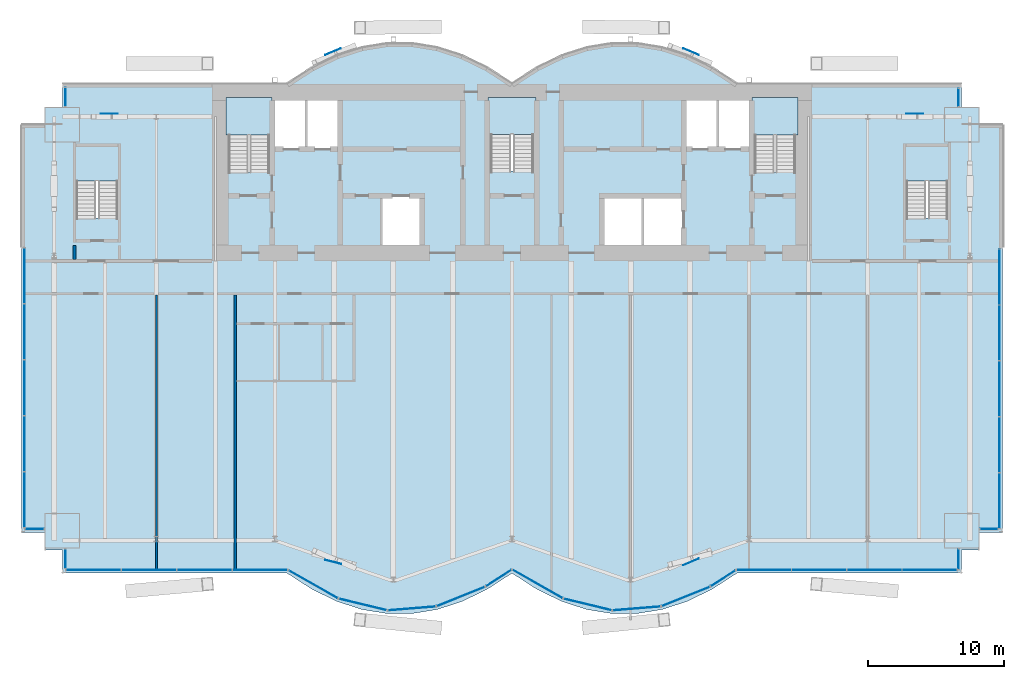
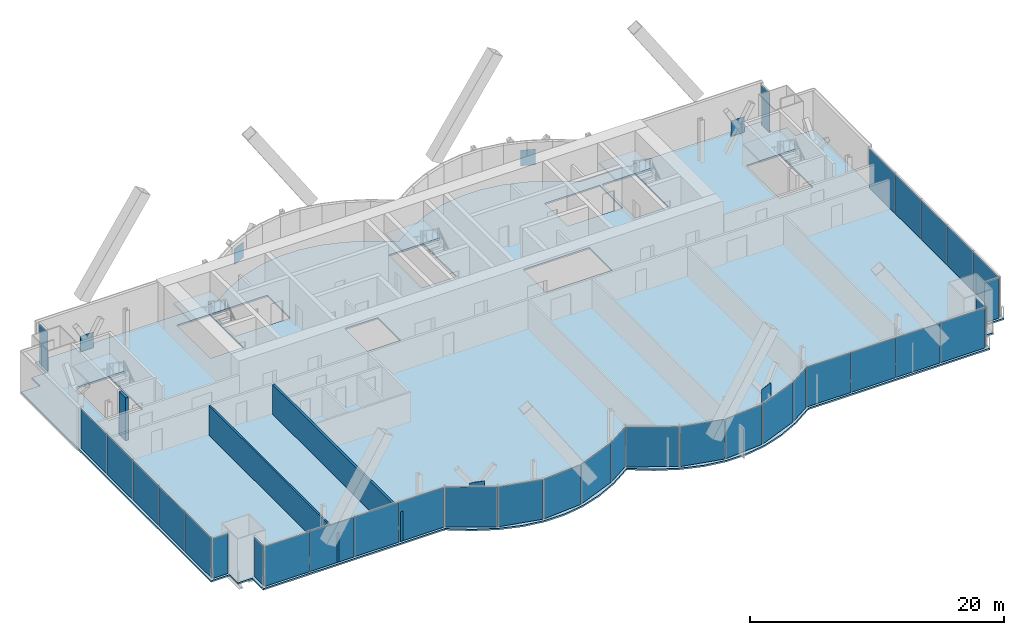
# One storey, part 15 of 22: 40 plates, 6 slabs, 3 walls, 17 elements without a shape of their own.
"""IFC4 building model written with IfcOpenShell, lengths in metres."""

from ifc_helpers import new_model, si_unit, direction, frame, frame_2d, origin, origin_2d, place, context, subcontext, project, spatial, polyline, rectangle, outline, extrude, material, layer, layer_set, type_object, element, aggregate, save


model = new_model("IFC4")

# Units and contexts
model_context = context("Model", 3, precision=1e-05, world=origin(), true_north=direction((0.0, 1.0)))
body_context = subcontext(model_context, "Body", "Model", "MODEL_VIEW")
ifc_project = project(units=[si_unit("LENGTHUNIT", "METRE"), si_unit("AREAUNIT", "SQUARE_METRE"), si_unit("VOLUMEUNIT", "CUBIC_METRE"), si_unit("PLANEANGLEUNIT", "RADIAN"), si_unit("MASSUNIT", "GRAM", prefix="KILO")], contexts=[model_context])

# Site, building, storey
site_placement = place(None, origin())
site = spatial("IfcSite", under=ifc_project, at=site_placement, CompositionType="ELEMENT")
building_placement = place(site_placement, origin())
building = spatial("IfcBuilding", under=site, at=building_placement, Name="Bicima Exchange Tower", CompositionType="ELEMENT")
storey_placement = place(building_placement, frame((0.0, 0.0, 144.5)))
storey = spatial("IfcBuildingStorey", under=building, at=storey_placement, Name="L31", CompositionType="ELEMENT", Elevation=144.5)

# Plates
ifc_material_1 = material(Name="Steel ASTM A572 Gr 50", Category="steel")
ifc_layer_1 = layer(ifc_material_1, 0.02490234375)
ifc_layer_set_1 = layer_set([ifc_layer_1], Name="Steel ASTM A572 Gr 50")
plate_type_1 = type_object("IfcPlateType", Name="Brace crossing gusset 25", PredefinedType="SHEET", material=ifc_layer_set_1)
for number, where, z_axis, x_axis, name in (
    (1, (-13.134033203125, 2.368408203125, 1.300048828125), (0.0, 0.0, 1.0), (0.920946171144, 0.389689812356, 0.0), "Brace crossing gusset plate"),
    (2, (13.134033203125, 2.368408203125, 1.300048828125), (0.0, 0.0, 1.0), (0.920946171144, -0.389689812356, 0.0), "Brace crossing gusset plate"),
    (3, (-13.104248046875, -35.082275390625, 1.300048828125), (0.0, 0.0, 1.0), (0.967901583186, -0.25132951531, 0.0), "Brace crossing gusset plate"),
    (4, (13.135009765625, -35.07177734375, 1.300048828125), (0.0, 0.0, 1.0), (0.91935521456, 0.393428506163, 0.0), "Brace crossing gusset plate"),
    (5, (-29.550048828125, -2.184326171875, 1.300048828125), (0.0, 0.0, 1.0), (1.0, 0.0, 0.0), "Brace crossing gusset plate"),
    (6, (29.550048828125, -2.184326171875, 1.300048828125), (0.0, 0.0, 1.0), (1.0, 0.0, 0.0), "Brace crossing gusset plate"),
):
    element("IfcPlate", number, at=place(storey_placement, frame(where, z_axis=z_axis, x_axis=x_axis)), inside=storey, type_object=plate_type_1, Name=name, PredefinedType="SHEET", context=body_context, shape_type="SweptSolid", body=[
        extrude(rectangle(XDim=1.21923828125, YDim=0.02490234375, at=origin_2d()), origin(), (0.0, 0.0, 1.0), 1.5),
    ])

# Slab
ifc_material_2 = material(Name="Concrete C40/50", Category="concrete")
ifc_layer_2 = layer(ifc_material_2, 0.14990234375)
ifc_layer_set_2 = layer_set([ifc_layer_2], Name="Concrete C40/50")
slab_type_1 = type_object("IfcSlabType", Name="Composite floor slab 150", PredefinedType="FLOOR", material=ifc_layer_set_2)
slab_1_placement = place(storey_placement, frame((0.0, 0.0, -0.14990234375)))
element("IfcSlab", 7, at=slab_1_placement, inside=storey, type_object=slab_type_1, Name="Floor slab", PredefinedType="FLOOR", context=body_context, shape_type="SweptSolid", body=[
    extrude(outline(polyline([(-36.0, -32.89990234375), (-36.0, -3.0), (-34.300048828125, -3.0), (-34.300048828125, -1.699951171875), (-33.0, -1.699951171875), (-33.0, 0.0), (-16.5, 0.0), (-14.666748046875, 1.185302734375), (-12.833251953125, 2.07421875), (-11.0, 2.666748046875), (-9.166748046875, 2.962890625), (-7.333251953125, 2.962890625), (-5.5, 2.666748046875), (-3.666748046875, 2.07421875), (-1.833251953125, 1.185302734375), (0.0, 0.0), (1.833251953125, 1.185302734375), (3.666748046875, 2.07421875), (5.5, 2.666748046875), (7.333251953125, 2.962890625), (9.166748046875, 2.962890625), (11.0, 2.666748046875), (12.833251953125, 2.07421875), (14.666748046875, 1.185302734375), (16.5, 0.0), (33.0, 0.0), (33.0, -1.699951171875), (34.300048828125, -1.699951171875), (34.300048828125, -3.0), (36.0, -3.0), (36.0, -32.89990234375), (34.300048828125, -32.89990234375), (34.300048828125, -34.199951171875), (33.0, -34.199951171875), (33.0, -35.89990234375), (16.5, -35.89990234375), (14.666748046875, -37.085205078125), (12.833251953125, -37.97412109375), (11.0, -38.566650390625), (9.166748046875, -38.863037109375), (7.333251953125, -38.863037109375), (5.5, -38.566650390625), (3.666748046875, -37.97412109375), (1.833251953125, -37.085205078125), (0.0, -35.89990234375), (-1.833251953125, -37.085205078125), (-3.666748046875, -37.97412109375), (-5.5, -38.566650390625), (-7.333251953125, -38.863037109375), (-9.166748046875, -38.863037109375), (-11.0, -38.566650390625), (-12.833251953125, -37.97412109375), (-14.666748046875, -37.085205078125), (-16.5, -35.89990234375), (-33.0, -35.89990234375), (-33.0, -34.199951171875), (-34.300048828125, -34.199951171875), (-34.300048828125, -32.89990234375), (-36.0, -32.89990234375)]), holes=[polyline([(-6.60009765625, -11.800048828125), (-6.60009765625, -8.199951171875), (-9.60009765625, -8.199951171875), (-9.60009765625, -11.800048828125), (-6.60009765625, -11.800048828125)]), polyline([(-31.97509765625, -9.824951171875), (-28.925048828125, -9.824951171875), (-28.925048828125, -4.625), (-31.97509765625, -4.625), (-31.97509765625, -9.824951171875)]), polyline([(-20.800048828125, -6.449951171875), (-17.800048828125, -6.449951171875), (-17.800048828125, -1.199951171875), (-20.800048828125, -1.199951171875), (-20.800048828125, -6.449951171875)]), polyline([(1.574951171875, -6.39990234375), (1.574951171875, -1.199951171875), (-1.574951171875, -1.199951171875), (-1.574951171875, -6.39990234375), (1.574951171875, -6.39990234375)]), polyline([(-12.60009765625, -4.800048828125), (-12.60009765625, -1.199951171875), (-15.10009765625, -1.199951171875), (-17.60009765625, -1.199951171875), (-17.60009765625, -4.800048828125), (-15.10009765625, -4.800048828125), (-12.60009765625, -4.800048828125)]), polyline([(12.60009765625, -8.199951171875), (9.60009765625, -8.199951171875), (6.60009765625, -8.199951171875), (6.60009765625, -11.800048828125), (9.60009765625, -11.800048828125), (12.60009765625, -11.800048828125), (12.60009765625, -8.199951171875)]), polyline([(28.925048828125, -9.824951171875), (31.97509765625, -9.824951171875), (31.97509765625, -4.625), (28.925048828125, -4.625), (28.925048828125, -9.824951171875)]), polyline([(20.800048828125, -6.449951171875), (20.800048828125, -1.199951171875), (17.800048828125, -1.199951171875), (17.800048828125, -6.449951171875), (20.800048828125, -6.449951171875)]), polyline([(17.60009765625, -4.800048828125), (17.60009765625, -1.199951171875), (15.10009765625, -1.199951171875), (12.60009765625, -1.199951171875), (12.60009765625, -4.800048828125), (15.10009765625, -4.800048828125), (17.60009765625, -4.800048828125)])]), origin(), (0.0, 0.0, 1.0), 0.14990234375),
])

# Curtain wall, plates
ifc_material_3 = material(Name="Anodised bronze aluminium", Category="aluminium")
curtain_wall_type_1 = type_object("IfcCurtainWallType", Name="End face glass wall", PredefinedType="NOTDEFINED", material=ifc_material_3)
curtain_wall_1_placement = place(storey_placement, origin())
curtain_wall_1 = element("IfcCurtainWall", 8, at=curtain_wall_1_placement, inside=storey, type_object=curtain_wall_type_1, Name="End face glass wall L31 run 2", PredefinedType="NOTDEFINED")
ifc_material_4 = material(Name="Bronze tinted glass", Category="glass")
ifc_layer_3 = layer(ifc_material_4, 0.031982421875)
ifc_layer_set_3 = layer_set([ifc_layer_3], Name="Bronze tinted glass")
plate_type_2 = type_object("IfcPlateType", Name="End face glass wall glass panel 32", PredefinedType="CURTAIN_PANEL", material=ifc_layer_set_3)
plate_1_placement = place(storey_placement, frame((-35.77001953125, -14.0830078125, 0.0), z_axis=(0.0, 0.0, 1.0), x_axis=(0.0, -1.0, 0.0)))
plate_1 = element("IfcPlate", 9, at=plate_1_placement, type_object=plate_type_2, Name="End face glass wall panel 1.1", PredefinedType="CURTAIN_PANEL", context=body_context, shape_type="SweptSolid", body=[
    extrude(rectangle(XDim=4.0458984375, YDim=0.031982421875, at=origin_2d()), origin(), (0.0, 0.0, 1.0), 3.81005859375),
])
plate_2_placement = place(storey_placement, frame((-35.77001953125, -18.18896484375, 0.0), z_axis=(0.0, 0.0, 1.0), x_axis=(0.0, -1.0, 0.0)))
plate_2 = element("IfcPlate", 10, at=plate_2_placement, type_object=plate_type_2, Name="End face glass wall panel 2.1", PredefinedType="CURTAIN_PANEL", context=body_context, shape_type="SweptSolid", body=[
    extrude(rectangle(XDim=4.0458984375, YDim=0.031982421875, at=origin_2d()), origin(), (0.0, 0.0, 1.0), 3.81005859375),
])
plate_3_placement = place(storey_placement, frame((-35.77001953125, -22.294921875, 0.0), z_axis=(0.0, 0.0, 1.0), x_axis=(0.0, -1.0, 0.0)))
plate_3 = element("IfcPlate", 11, at=plate_3_placement, type_object=plate_type_2, Name="End face glass wall panel 3.1", PredefinedType="CURTAIN_PANEL", context=body_context, shape_type="SweptSolid", body=[
    extrude(rectangle(XDim=4.0458984375, YDim=0.031982421875, at=origin_2d()), origin(), (0.0, 0.0, 1.0), 3.81005859375),
])

curtain_wall_2_placement = place(storey_placement, origin())
curtain_wall_2 = element("IfcCurtainWall", 12, at=curtain_wall_2_placement, inside=storey, type_object=curtain_wall_type_1, Name="End face glass wall L31 run 19", PredefinedType="NOTDEFINED")
plate_4_placement = place(storey_placement, frame((35.77001953125, -22.375, 0.0), z_axis=(0.0, 0.0, 1.0), x_axis=(0.0, 1.0, 0.0)))
plate_4 = element("IfcPlate", 13, at=plate_4_placement, type_object=plate_type_2, Name="End face glass wall panel 3.1", PredefinedType="CURTAIN_PANEL", context=body_context, shape_type="SweptSolid", body=[
    extrude(rectangle(XDim=4.0458984375, YDim=0.031982421875, at=origin_2d()), origin(), (0.0, 0.0, 1.0), 3.81005859375),
])
plate_5_placement = place(storey_placement, frame((35.77001953125, -18.26904296875, 0.0), z_axis=(0.0, 0.0, 1.0), x_axis=(0.0, 1.0, 0.0)))
plate_5 = element("IfcPlate", 14, at=plate_5_placement, type_object=plate_type_2, Name="End face glass wall panel 4.1", PredefinedType="CURTAIN_PANEL", context=body_context, shape_type="SweptSolid", body=[
    extrude(rectangle(XDim=4.0458984375, YDim=0.031982421875, at=origin_2d()), origin(), (0.0, 0.0, 1.0), 3.81005859375),
])
plate_6_placement = place(storey_placement, frame((35.77001953125, -14.1630859375, 0.0), z_axis=(0.0, 0.0, 1.0), x_axis=(0.0, 1.0, 0.0)))
plate_6 = element("IfcPlate", 15, at=plate_6_placement, type_object=plate_type_2, Name="End face glass wall panel 5.1", PredefinedType="CURTAIN_PANEL", context=body_context, shape_type="SweptSolid", body=[
    extrude(rectangle(XDim=4.0458984375, YDim=0.031982421875, at=origin_2d()), origin(), (0.0, 0.0, 1.0), 3.81005859375),
])

# Plate
ifc_material_5 = material(Name="Bronze anodised aluminium", Category="aluminium")
ifc_layer_4 = layer(ifc_material_5, 0.031982421875)
ifc_layer_set_4 = layer_set([ifc_layer_4], Name="Bronze anodised aluminium")
plate_type_3 = type_object("IfcPlateType", Name="End face glass wall spandrel panel 32", PredefinedType="CURTAIN_PANEL", material=ifc_layer_set_4)
plate_7_placement = place(storey_placement, frame((-35.77001953125, -26.40087890625, 0.0), z_axis=(0.0, 0.0, 1.0), x_axis=(0.0, -1.0, 0.0)))
plate_7 = element("IfcPlate", 16, at=plate_7_placement, type_object=plate_type_3, Name="End face spandrel wall panel 4.1", PredefinedType="CURTAIN_PANEL", context=body_context, shape_type="SweptSolid", body=[
    extrude(rectangle(XDim=4.0458984375, YDim=0.031982421875, at=origin_2d()), origin(), (0.0, 0.0, 1.0), 3.81005859375),
])

plate_8_placement = place(storey_placement, frame((-35.77001953125, -30.507080078125, 0.0), z_axis=(0.0, 0.0, 1.0), x_axis=(0.0, -1.0, 0.0)))
plate_8 = element("IfcPlate", 17, at=plate_8_placement, type_object=plate_type_3, Name="End face spandrel wall panel 5.1", PredefinedType="CURTAIN_PANEL", context=body_context, shape_type="SweptSolid", body=[
    extrude(rectangle(XDim=4.0458984375, YDim=0.031982421875, at=origin_2d()), origin(), (0.0, 0.0, 1.0), 3.81005859375),
])

aggregate(curtain_wall_1, [plate_1, plate_2, plate_3, plate_7, plate_8])

plate_9_placement = place(storey_placement, frame((35.77001953125, -30.5869140625, 0.0), z_axis=(0.0, 0.0, 1.0), x_axis=(0.0, 1.0, 0.0)))
plate_9 = element("IfcPlate", 18, at=plate_9_placement, type_object=plate_type_3, Name="End face spandrel wall panel 1.1", PredefinedType="CURTAIN_PANEL", context=body_context, shape_type="SweptSolid", body=[
    extrude(rectangle(XDim=4.0458984375, YDim=0.031982421875, at=origin_2d()), origin(), (0.0, 0.0, 1.0), 3.81005859375),
])

plate_10_placement = place(storey_placement, frame((35.77001953125, -26.48095703125, 0.0), z_axis=(0.0, 0.0, 1.0), x_axis=(0.0, 1.0, 0.0)))
plate_10 = element("IfcPlate", 19, at=plate_10_placement, type_object=plate_type_3, Name="End face spandrel wall panel 2.1", PredefinedType="CURTAIN_PANEL", context=body_context, shape_type="SweptSolid", body=[
    extrude(rectangle(XDim=4.0458984375, YDim=0.031982421875, at=origin_2d()), origin(), (0.0, 0.0, 1.0), 3.81005859375),
])

aggregate(curtain_wall_2, [plate_9, plate_10, plate_4, plate_5, plate_6])

# Curtain wall, plate
curtain_wall_type_2 = type_object("IfcCurtainWallType", Name="Front glass wall", PredefinedType="NOTDEFINED", material=ifc_material_3)
curtain_wall_3_placement = place(storey_placement, origin())
curtain_wall_3 = element("IfcCurtainWall", 20, at=curtain_wall_3_placement, inside=storey, type_object=curtain_wall_type_2, Name="Front glass wall L31 run 1", PredefinedType="NOTDEFINED")
ifc_layer_5 = layer(ifc_material_4, 0.031982421875)
ifc_layer_set_5 = layer_set([ifc_layer_5], Name="Bronze tinted glass")
plate_type_4 = type_object("IfcPlateType", Name="Front glass wall glass panel 32", PredefinedType="CURTAIN_PANEL", material=ifc_layer_set_5)
plate_11_placement = place(storey_placement, frame((-32.77001953125, -0.965087890625, 0.0), z_axis=(0.0, 0.0, 1.0), x_axis=(0.0, -1.0, 0.0)))
plate_11 = element("IfcPlate", 21, at=plate_11_placement, type_object=plate_type_4, Name="Front glass wall panel 1.1", PredefinedType="CURTAIN_PANEL", context=body_context, shape_type="SweptSolid", body=[
    extrude(rectangle(XDim=1.35009765625, YDim=0.031982421875, at=origin_2d()), origin(), (0.0, 0.0, 1.0), 3.81005859375),
])
aggregate(curtain_wall_3, [plate_11])

curtain_wall_4_placement = place(storey_placement, origin())
curtain_wall_4 = element("IfcCurtainWall", 22, at=curtain_wall_4_placement, inside=storey, type_object=curtain_wall_type_2, Name="Front glass wall L31 run 3", PredefinedType="NOTDEFINED")
plate_12_placement = place(storey_placement, frame((-35.034912109375, -32.669921875, 0.0), z_axis=(0.0, 0.0, 1.0), x_axis=(1.0, 0.0, 0.0)))
plate_12 = element("IfcPlate", 23, at=plate_12_placement, type_object=plate_type_4, Name="Front glass wall panel 1.1", PredefinedType="CURTAIN_PANEL", context=body_context, shape_type="SweptSolid", body=[
    extrude(rectangle(XDim=1.35009765625, YDim=0.031982421875, at=origin_2d()), origin(), (0.0, 0.0, 1.0), 3.81005859375),
])
aggregate(curtain_wall_4, [plate_12])

curtain_wall_5_placement = place(storey_placement, origin())
curtain_wall_5 = element("IfcCurtainWall", 24, at=curtain_wall_5_placement, inside=storey, type_object=curtain_wall_type_2, Name="Front glass wall L31 run 4", PredefinedType="NOTDEFINED")
plate_13_placement = place(storey_placement, frame((-32.77001953125, -34.833984375, 0.0), z_axis=(0.0, 0.0, 1.0), x_axis=(0.0, -1.0, 0.0)))
plate_13 = element("IfcPlate", 25, at=plate_13_placement, type_object=plate_type_4, Name="Front glass wall panel 1.1", PredefinedType="CURTAIN_PANEL", context=body_context, shape_type="SweptSolid", body=[
    extrude(rectangle(XDim=1.39208984375, YDim=0.031982421875, at=origin_2d()), origin(), (0.0, 0.0, 1.0), 3.81005859375),
])
aggregate(curtain_wall_5, [plate_13])

# Curtain wall, plates
curtain_wall_6_placement = place(storey_placement, origin())
curtain_wall_6 = element("IfcCurtainWall", 26, at=curtain_wall_6_placement, inside=storey, type_object=curtain_wall_type_2, Name="Front glass wall L31 run 5", PredefinedType="NOTDEFINED")
plate_14_placement = place(storey_placement, frame((-22.56640625, -35.669921875, 0.0), z_axis=(0.0, 0.0, 1.0), x_axis=(1.0, 0.0, 0.0)))
plate_14 = element("IfcPlate", 27, at=plate_14_placement, type_object=plate_type_4, Name="Front glass wall panel 3.1", PredefinedType="CURTAIN_PANEL", context=body_context, shape_type="SweptSolid", body=[
    extrude(rectangle(XDim=4.009521484375, YDim=0.031982421875, at=origin_2d()), origin(), (0.0, 0.0, 1.0), 3.81005859375),
])
plate_15_placement = place(storey_placement, frame((-18.496826171875, -35.669921875, 0.0), z_axis=(0.0, 0.0, 1.0), x_axis=(1.0, 0.0, 0.0)))
plate_15 = element("IfcPlate", 28, at=plate_15_placement, type_object=plate_type_4, Name="Front glass wall panel 4.1", PredefinedType="CURTAIN_PANEL", context=body_context, shape_type="SweptSolid", body=[
    extrude(rectangle(XDim=4.009521484375, YDim=0.031982421875, at=origin_2d()), origin(), (0.0, 0.0, 1.0), 3.81005859375),
])

curtain_wall_7_placement = place(storey_placement, origin())
curtain_wall_7 = element("IfcCurtainWall", 29, at=curtain_wall_7_placement, inside=storey, type_object=curtain_wall_type_2, Name="Front glass wall L31 run 6", PredefinedType="NOTDEFINED")
plate_16_placement = place(storey_placement, frame((-14.589599609375, -36.715087890625, 0.0), z_axis=(0.0, 0.0, 1.0), x_axis=(0.869805110681, -0.493395449343, 0.0)))
plate_16 = element("IfcPlate", 30, at=plate_16_placement, type_object=plate_type_4, Name="Front glass wall panel 1.1", PredefinedType="CURTAIN_PANEL", context=body_context, shape_type="SweptSolid", body=[
    extrude(rectangle(XDim=4.1162109375, YDim=0.031982421875, at=origin_2d()), origin(), (0.0, 0.0, 1.0), 3.81005859375),
])
plate_17_placement = place(storey_placement, frame((-10.94775390625, -38.196533203125, 0.0), z_axis=(0.0, 0.0, 1.0), x_axis=(0.971830343553, -0.235681529503, 0.0)))
plate_17 = element("IfcPlate", 31, at=plate_17_placement, type_object=plate_type_4, Name="Front glass wall panel 1.1", PredefinedType="CURTAIN_PANEL", context=body_context, shape_type="SweptSolid", body=[
    extrude(rectangle(XDim=3.583251953125, YDim=0.031982421875, at=origin_2d()), origin(), (0.0, 0.0, 1.0), 3.81005859375),
])
plate_18_placement = place(storey_placement, frame((-0.97314453125, -36.255126953125, 0.0), z_axis=(0.0, 0.0, 1.0), x_axis=(0.839798994301, 0.542897457326, 0.0)))
plate_18 = element("IfcPlate", 32, at=plate_18_placement, type_object=plate_type_4, Name="Front glass wall panel 1.1", PredefinedType="CURTAIN_PANEL", context=body_context, shape_type="SweptSolid", body=[
    extrude(rectangle(XDim=2.197509765625, YDim=0.031982421875, at=origin_2d()), origin(), (0.0, 0.0, 1.0), 3.81005859375),
])

curtain_wall_8_placement = place(storey_placement, origin())
curtain_wall_8 = element("IfcCurtainWall", 33, at=curtain_wall_8_placement, inside=storey, type_object=curtain_wall_type_2, Name="Front glass wall L31 run 11", PredefinedType="NOTDEFINED")
plate_19_placement = place(storey_placement, frame((1.876220703125, -36.693115234375, 0.0), z_axis=(0.0, 0.0, 1.0), x_axis=(0.869274147378, -0.494330311331, 0.0)))
plate_19 = element("IfcPlate", 34, at=plate_19_placement, type_object=plate_type_4, Name="Front glass wall panel 1.1", PredefinedType="CURTAIN_PANEL", context=body_context, shape_type="SweptSolid", body=[
    extrude(rectangle(XDim=4.197021484375, YDim=0.031982421875, at=origin_2d()), origin(), (0.0, 0.0, 1.0), 3.81005859375),
])
plate_20_placement = place(storey_placement, frame((9.14892578125, -38.48779296875, 0.0), z_axis=(0.0, 0.0, 1.0), x_axis=(0.99674744821, 0.080588612633, 0.0)))
plate_20 = element("IfcPlate", 35, at=plate_20_placement, type_object=plate_type_4, Name="Front glass wall panel 1.1", PredefinedType="CURTAIN_PANEL", context=body_context, shape_type="SweptSolid", body=[
    extrude(rectangle(XDim=3.486083984375, YDim=0.031982421875, at=origin_2d()), origin(), (0.0, 0.0, 1.0), 3.81005859375),
])
plate_21_placement = place(storey_placement, frame((12.749755859375, -37.61328125, 0.0), z_axis=(0.0, 0.0, 1.0), x_axis=(0.92714396679, 0.374705304, 0.0)))
plate_21 = element("IfcPlate", 36, at=plate_21_placement, type_object=plate_type_4, Name="Front glass wall panel 1.1", PredefinedType="CURTAIN_PANEL", context=body_context, shape_type="SweptSolid", body=[
    extrude(rectangle(XDim=3.771240234375, YDim=0.031982421875, at=origin_2d()), origin(), (0.0, 0.0, 1.0), 3.81005859375),
])
plate_22_placement = place(storey_placement, frame((15.492919921875, -36.277099609375, 0.0), z_axis=(0.0, 0.0, 1.0), x_axis=(0.839791413941, 0.542909183079, 0.0)))
plate_22 = element("IfcPlate", 37, at=plate_22_placement, type_object=plate_type_4, Name="Front glass wall panel 1.1", PredefinedType="CURTAIN_PANEL", context=body_context, shape_type="SweptSolid", body=[
    extrude(rectangle(XDim=2.11669921875, YDim=0.031982421875, at=origin_2d()), origin(), (0.0, 0.0, 1.0), 3.81005859375),
])

curtain_wall_9_placement = place(storey_placement, origin())
curtain_wall_9 = element("IfcCurtainWall", 38, at=curtain_wall_9_placement, inside=storey, type_object=curtain_wall_type_2, Name="Front glass wall L31 run 16", PredefinedType="NOTDEFINED")
plate_23_placement = place(storey_placement, frame((18.48681640625, -35.669921875, 0.0), z_axis=(0.0, 0.0, 1.0), x_axis=(1.0, 0.0, 0.0)))
plate_23 = element("IfcPlate", 39, at=plate_23_placement, type_object=plate_type_4, Name="Front glass wall panel 1.1", PredefinedType="CURTAIN_PANEL", context=body_context, shape_type="SweptSolid", body=[
    extrude(rectangle(XDim=3.989501953125, YDim=0.031982421875, at=origin_2d()), origin(), (0.0, 0.0, 1.0), 3.81005859375),
])
plate_24_placement = place(storey_placement, frame((22.536376953125, -35.669921875, 0.0), z_axis=(0.0, 0.0, 1.0), x_axis=(1.0, 0.0, 0.0)))
plate_24 = element("IfcPlate", 40, at=plate_24_placement, type_object=plate_type_4, Name="Front glass wall panel 2.1", PredefinedType="CURTAIN_PANEL", context=body_context, shape_type="SweptSolid", body=[
    extrude(rectangle(XDim=3.989501953125, YDim=0.031982421875, at=origin_2d()), origin(), (0.0, 0.0, 1.0), 3.81005859375),
])

# Curtain wall, plate
curtain_wall_10_placement = place(storey_placement, origin())
curtain_wall_10 = element("IfcCurtainWall", 41, at=curtain_wall_10_placement, inside=storey, type_object=curtain_wall_type_2, Name="Front glass wall L31 run 17", PredefinedType="NOTDEFINED")
plate_25_placement = place(storey_placement, frame((32.77001953125, -34.8740234375, 0.0), z_axis=(0.0, 0.0, 1.0), x_axis=(0.0, 1.0, 0.0)))
plate_25 = element("IfcPlate", 42, at=plate_25_placement, type_object=plate_type_4, Name="Front glass wall panel 1.1", PredefinedType="CURTAIN_PANEL", context=body_context, shape_type="SweptSolid", body=[
    extrude(rectangle(XDim=1.471923828125, YDim=0.031982421875, at=origin_2d()), origin(), (0.0, 0.0, 1.0), 3.81005859375),
])
aggregate(curtain_wall_10, [plate_25])

curtain_wall_11_placement = place(storey_placement, origin())
curtain_wall_11 = element("IfcCurtainWall", 43, at=curtain_wall_11_placement, inside=storey, type_object=curtain_wall_type_2, Name="Front glass wall L31 run 18", PredefinedType="NOTDEFINED")
plate_26_placement = place(storey_placement, frame((34.9951171875, -32.669921875, 0.0), z_axis=(0.0, 0.0, 1.0), x_axis=(1.0, 0.0, 0.0)))
plate_26 = element("IfcPlate", 44, at=plate_26_placement, type_object=plate_type_4, Name="Front glass wall panel 1.1", PredefinedType="CURTAIN_PANEL", context=body_context, shape_type="SweptSolid", body=[
    extrude(rectangle(XDim=1.27001953125, YDim=0.031982421875, at=origin_2d()), origin(), (0.0, 0.0, 1.0), 3.81005859375),
])
aggregate(curtain_wall_11, [plate_26])

curtain_wall_12_placement = place(storey_placement, origin())
curtain_wall_12 = element("IfcCurtainWall", 45, at=curtain_wall_12_placement, inside=storey, type_object=curtain_wall_type_2, Name="Front glass wall L31 run 20", PredefinedType="NOTDEFINED")
plate_27_placement = place(storey_placement, frame((32.77001953125, -1.0048828125, 0.0), z_axis=(0.0, 0.0, 1.0), x_axis=(0.0, 1.0, 0.0)))
plate_27 = element("IfcPlate", 46, at=plate_27_placement, type_object=plate_type_4, Name="Front glass wall panel 1.1", PredefinedType="CURTAIN_PANEL", context=body_context, shape_type="SweptSolid", body=[
    extrude(rectangle(XDim=1.27001953125, YDim=0.031982421875, at=origin_2d()), origin(), (0.0, 0.0, 1.0), 3.81005859375),
])
aggregate(curtain_wall_12, [plate_27])

# Plate
ifc_layer_6 = layer(ifc_material_5, 0.031982421875)
ifc_layer_set_6 = layer_set([ifc_layer_6], Name="Bronze anodised aluminium")
plate_type_5 = type_object("IfcPlateType", Name="Front glass wall spandrel panel 32", PredefinedType="CURTAIN_PANEL", material=ifc_layer_set_6)
plate_28_placement = place(storey_placement, frame((-30.705322265625, -35.669921875, 0.0), z_axis=(0.0, 0.0, 1.0), x_axis=(1.0, 0.0, 0.0)))
plate_28 = element("IfcPlate", 47, at=plate_28_placement, type_object=plate_type_5, Name="Front spandrel wall panel 1.1", PredefinedType="CURTAIN_PANEL", context=body_context, shape_type="SweptSolid", body=[
    extrude(rectangle(XDim=4.009521484375, YDim=0.031982421875, at=origin_2d()), origin(), (0.0, 0.0, 1.0), 3.81005859375),
])

plate_29_placement = place(storey_placement, frame((-26.6357421875, -35.669921875, 0.0), z_axis=(0.0, 0.0, 1.0), x_axis=(1.0, 0.0, 0.0)))
plate_29 = element("IfcPlate", 48, at=plate_29_placement, type_object=plate_type_5, Name="Front spandrel wall panel 2.1", PredefinedType="CURTAIN_PANEL", context=body_context, shape_type="SweptSolid", body=[
    extrude(rectangle(XDim=4.009521484375, YDim=0.031982421875, at=origin_2d()), origin(), (0.0, 0.0, 1.0), 3.81005859375),
])

aggregate(curtain_wall_6, [plate_28, plate_29, plate_14, plate_15])

plate_30_placement = place(storey_placement, frame((-7.35107421875, -38.48779296875, 0.0), z_axis=(0.0, 0.0, 1.0), x_axis=(0.99674744821, 0.080588612633, 0.0)))
plate_30 = element("IfcPlate", 49, at=plate_30_placement, type_object=plate_type_5, Name="Front spandrel wall panel 1.1", PredefinedType="CURTAIN_PANEL", context=body_context, shape_type="SweptSolid", body=[
    extrude(rectangle(XDim=3.486083984375, YDim=0.031982421875, at=origin_2d()), origin(), (0.0, 0.0, 1.0), 3.81005859375),
])

plate_31_placement = place(storey_placement, frame((-3.750244140625, -37.61328125, 0.0), z_axis=(0.0, 0.0, 1.0), x_axis=(0.92714396679, 0.374705304, 0.0)))
plate_31 = element("IfcPlate", 50, at=plate_31_placement, type_object=plate_type_5, Name="Front spandrel wall panel 1.1", PredefinedType="CURTAIN_PANEL", context=body_context, shape_type="SweptSolid", body=[
    extrude(rectangle(XDim=3.771240234375, YDim=0.031982421875, at=origin_2d()), origin(), (0.0, 0.0, 1.0), 3.81005859375),
])

aggregate(curtain_wall_7, [plate_16, plate_17, plate_30, plate_31, plate_18])

plate_32_placement = place(storey_placement, frame((5.55224609375, -38.196533203125, 0.0), z_axis=(0.0, 0.0, 1.0), x_axis=(0.971830343553, -0.235681529503, 0.0)))
plate_32 = element("IfcPlate", 51, at=plate_32_placement, type_object=plate_type_5, Name="Front spandrel wall panel 1.1", PredefinedType="CURTAIN_PANEL", context=body_context, shape_type="SweptSolid", body=[
    extrude(rectangle(XDim=3.583251953125, YDim=0.031982421875, at=origin_2d()), origin(), (0.0, 0.0, 1.0), 3.81005859375),
])

aggregate(curtain_wall_8, [plate_19, plate_32, plate_20, plate_21, plate_22])

plate_33_placement = place(storey_placement, frame((26.585693359375, -35.669921875, 0.0), z_axis=(0.0, 0.0, 1.0), x_axis=(1.0, 0.0, 0.0)))
plate_33 = element("IfcPlate", 52, at=plate_33_placement, type_object=plate_type_5, Name="Front spandrel wall panel 3.1", PredefinedType="CURTAIN_PANEL", context=body_context, shape_type="SweptSolid", body=[
    extrude(rectangle(XDim=3.989501953125, YDim=0.031982421875, at=origin_2d()), origin(), (0.0, 0.0, 1.0), 3.81005859375),
])

plate_34_placement = place(storey_placement, frame((30.63525390625, -35.669921875, 0.0), z_axis=(0.0, 0.0, 1.0), x_axis=(1.0, 0.0, 0.0)))
plate_34 = element("IfcPlate", 53, at=plate_34_placement, type_object=plate_type_5, Name="Front spandrel wall panel 4.1", PredefinedType="CURTAIN_PANEL", context=body_context, shape_type="SweptSolid", body=[
    extrude(rectangle(XDim=3.989501953125, YDim=0.031982421875, at=origin_2d()), origin(), (0.0, 0.0, 1.0), 3.81005859375),
])

aggregate(curtain_wall_9, [plate_23, plate_24, plate_33, plate_34])

# Stair, slab
ifc_material_6 = material(Name="Concrete C50/60", Category="concrete")
stair_type_1 = type_object("IfcStairType", Name="Exit stair", PredefinedType="HALF_TURN_STAIR", material=ifc_material_6)
stair_1_placement = place(storey_placement, origin())
stair_1 = element("IfcStair", 54, at=stair_1_placement, inside=storey, type_object=stair_type_1, Name="L31 West exit stair", PredefinedType="HALF_TURN_STAIR")
ifc_layer_7 = layer(ifc_material_6, 0.199951171875)
ifc_layer_set_7 = layer_set([ifc_layer_7], Name="Concrete C50/60")
slab_type_2 = type_object("IfcSlabType", Name="Stair landing slab", PredefinedType="LANDING", material=ifc_layer_set_7)
slab_2_placement = place(storey_placement, frame((0.0, 0.0, 1.85009765625)))
slab_2 = element("IfcSlab", 55, at=slab_2_placement, type_object=slab_type_2, Name="ST-W landing 1", PredefinedType="LANDING", context=body_context, shape_type="SweptSolid", body=[
    extrude(outline(polyline([(-17.60009765625, -3.75), (-17.60009765625, -1.0), (-21.0, -1.0), (-21.0, -3.75), (-17.60009765625, -3.75)])), origin(), (0.0, 0.0, 1.0), 0.199951171875),
])
aggregate(stair_1, [slab_2])

stair_type_2 = type_object("IfcStairType", Name="Exit stair 1500", PredefinedType="HALF_TURN_STAIR", material=ifc_material_6)
stair_2_placement = place(storey_placement, origin())
stair_2 = element("IfcStair", 56, at=stair_2_placement, inside=storey, type_object=stair_type_2, Name="L31 Central exit stair", PredefinedType="HALF_TURN_STAIR")
slab_3_placement = place(storey_placement, frame((0.0, 0.0, 1.85009765625)))
slab_3 = element("IfcSlab", 57, at=slab_3_placement, type_object=slab_type_2, Name="ST-C landing 1", PredefinedType="LANDING", context=body_context, shape_type="SweptSolid", body=[
    extrude(outline(polyline([(1.77490234375, -3.699951171875), (1.77490234375, -1.0), (-1.77490234375, -1.0), (-1.77490234375, -3.699951171875), (1.77490234375, -3.699951171875)])), origin(), (0.0, 0.0, 1.0), 0.199951171875),
])
aggregate(stair_2, [slab_3])

stair_3_placement = place(storey_placement, origin())
stair_3 = element("IfcStair", 58, at=stair_3_placement, inside=storey, type_object=stair_type_1, Name="L31 East exit stair", PredefinedType="HALF_TURN_STAIR")
slab_4_placement = place(storey_placement, frame((0.0, 0.0, 1.85009765625)))
slab_4 = element("IfcSlab", 59, at=slab_4_placement, type_object=slab_type_2, Name="ST-E landing 1", PredefinedType="LANDING", context=body_context, shape_type="SweptSolid", body=[
    extrude(outline(polyline([(21.0, -3.75), (21.0, -1.0), (17.60009765625, -1.0), (17.60009765625, -3.75), (21.0, -3.75)])), origin(), (0.0, 0.0, 1.0), 0.199951171875),
])
aggregate(stair_3, [slab_4])

stair_4_placement = place(storey_placement, origin())
stair_4 = element("IfcStair", 60, at=stair_4_placement, inside=storey, type_object=stair_type_1, Name="L31 West end exit stair", PredefinedType="HALF_TURN_STAIR")
slab_5_placement = place(storey_placement, frame((0.0, 0.0, 1.85009765625)))
slab_5 = element("IfcSlab", 61, at=slab_5_placement, type_object=slab_type_2, Name="ST-WW landing 1", PredefinedType="LANDING", context=body_context, shape_type="SweptSolid", body=[
    extrude(outline(polyline([(-28.72509765625, -7.125), (-28.72509765625, -4.425048828125), (-32.175048828125, -4.425048828125), (-32.175048828125, -7.125), (-28.72509765625, -7.125)])), origin(), (0.0, 0.0, 1.0), 0.199951171875),
])
aggregate(stair_4, [slab_5])

stair_5_placement = place(storey_placement, origin())
stair_5 = element("IfcStair", 62, at=stair_5_placement, inside=storey, type_object=stair_type_1, Name="L31 East end exit stair", PredefinedType="HALF_TURN_STAIR")
slab_6_placement = place(storey_placement, frame((0.0, 0.0, 1.85009765625)))
slab_6 = element("IfcSlab", 63, at=slab_6_placement, type_object=slab_type_2, Name="ST-EE landing 1", PredefinedType="LANDING", context=body_context, shape_type="SweptSolid", body=[
    extrude(outline(polyline([(32.175048828125, -7.125), (32.175048828125, -4.425048828125), (28.72509765625, -4.425048828125), (28.72509765625, -7.125), (32.175048828125, -7.125)])), origin(), (0.0, 0.0, 1.0), 0.199951171875),
])
aggregate(stair_5, [slab_6])

# Walls
ifc_material_7 = material(Name="Gypsum board partition")
ifc_layer_8 = layer(ifc_material_7, 0.199951171875)
ifc_layer_set_8 = layer_set([ifc_layer_8], Name="Gypsum board partition")
wall_type_1 = type_object("IfcWallType", Name="Fire-rated gypsum partition 200 EI60", PredefinedType="PARTITIONING", material=ifc_layer_set_8)
wall_1_placement = place(storey_placement, frame((-20.300048828125, -35.68994140625, 0.0), z_axis=(0.0, 0.0, 1.0), x_axis=(0.0, 1.0, 0.0)))
element("IfcWall", 64, at=wall_1_placement, inside=storey, type_object=wall_type_1, Name="partition wall 13", PredefinedType="PARTITIONING", context=body_context, shape_type="SweptSolid", body=[
    extrude(rectangle(XDim=20.18994140625, YDim=0.199951171875, at=frame_2d((10.094970703125, 0.0))), origin(), (0.0, 0.0, 1.0), 2.84033203125),
])
ifc_layer_9 = layer(ifc_material_7, 0.14990234375)
ifc_layer_set_9 = layer_set([ifc_layer_9], Name="Gypsum board partition")
wall_type_2 = type_object("IfcWallType", Name="Gypsum partition 150", PredefinedType="PARTITIONING", material=ifc_layer_set_9)
wall_2_placement = place(storey_placement, frame((-26.10009765625, -35.68994140625, 0.0), z_axis=(0.0, 0.0, 1.0), x_axis=(0.0, 1.0, 0.0)))
element("IfcWall", 65, at=wall_2_placement, inside=storey, type_object=wall_type_2, Name="partition wall 12", PredefinedType="PARTITIONING", context=body_context, shape_type="SweptSolid", body=[
    extrude(rectangle(XDim=20.18994140625, YDim=0.14990234375, at=frame_2d((10.094970703125, 0.0))), origin(), (0.0, 0.0, 1.0), 2.84033203125),
])
ifc_layer_10 = layer(ifc_material_6, 0.25)
ifc_layer_set_10 = layer_set([ifc_layer_10], Name="Concrete C50/60")
wall_type_3 = type_object("IfcWallType", Name="RC core wall 250 C50/60", PredefinedType="SHEAR", material=ifc_layer_set_10)
wall_3_placement = place(storey_placement, frame((-32.10009765625, -12.89990234375, 0.0), z_axis=(0.0, 0.0, 1.0), x_axis=(0.0, 1.0, 0.0)))
element("IfcWall", 66, at=wall_3_placement, inside=storey, type_object=wall_type_3, Name="stair wall 10", PredefinedType="SHEAR", context=body_context, shape_type="SweptSolid", body=[
    extrude(rectangle(XDim=1.0498046875, YDim=0.25, at=frame_2d((0.52490234375, 0.0))), origin(), (0.0, 0.0, 1.0), 4.10009765625),
])

save(model, "model.ifc")
